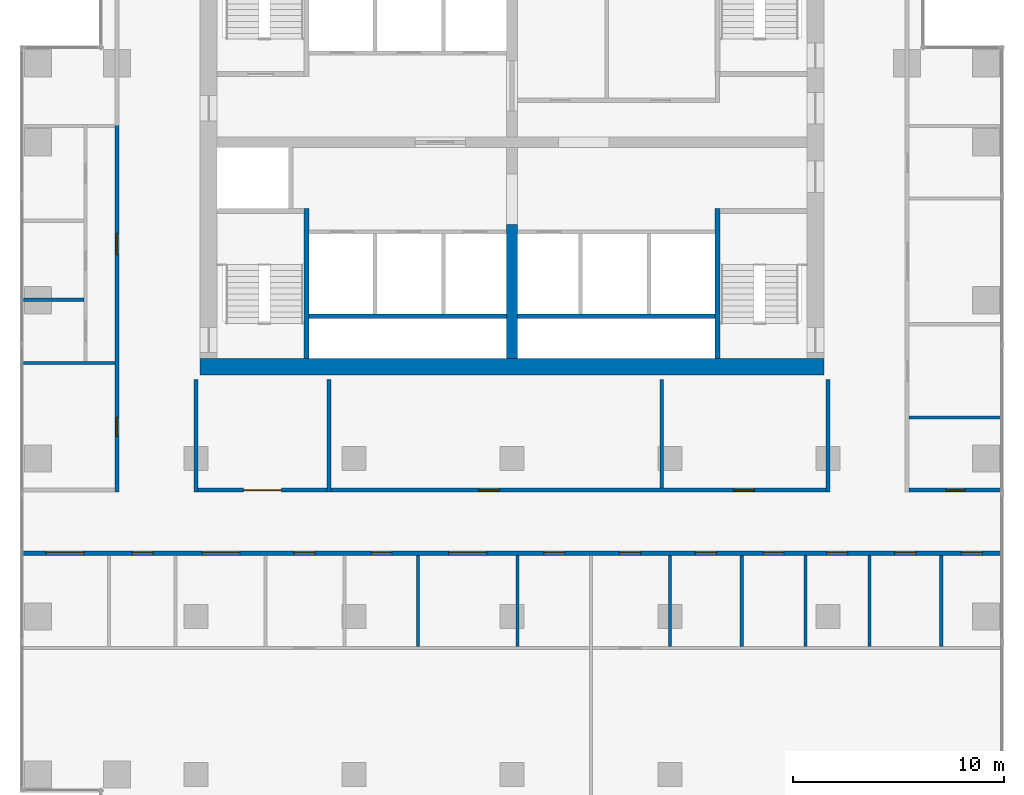
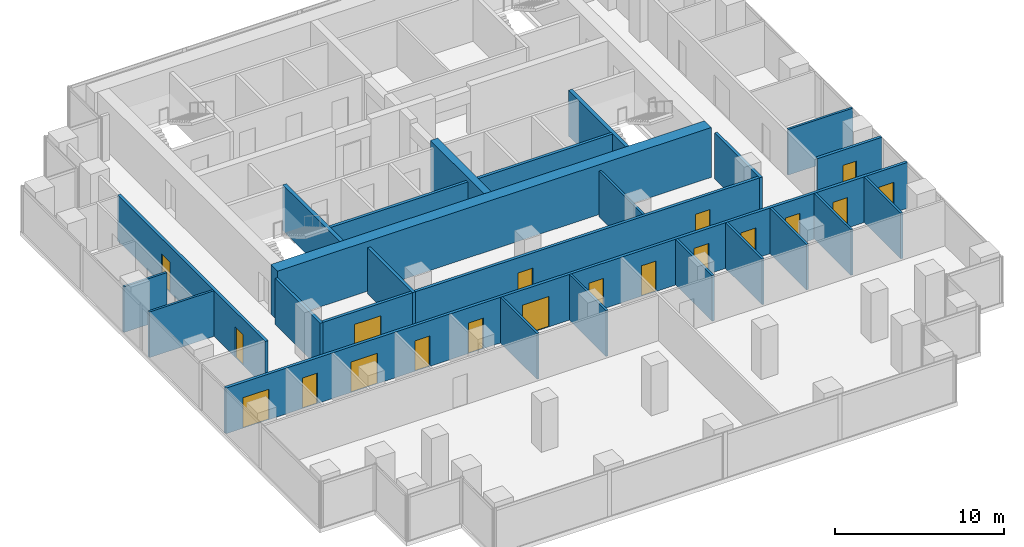
# One storey, part 7 of 10: 25 walls, 19 doors, 19 openings.
"""IFC4 building model written with IfcOpenShell, lengths in metres."""

from ifc_helpers import new_model, si_unit, direction, frame, frame_2d, origin, place, context, subcontext, project, spatial, rectangle, extrude, material, layer, layer_set, type_object, element, fill, save


model = new_model("IFC4")

# Units and contexts
model_context = context("Model", 3, precision=1e-05, world=origin(), true_north=direction((0.0, 1.0)))
body_context = subcontext(model_context, "Body", "Model", "MODEL_VIEW")
ifc_project = project(units=[si_unit("LENGTHUNIT", "METRE"), si_unit("AREAUNIT", "SQUARE_METRE"), si_unit("VOLUMEUNIT", "CUBIC_METRE"), si_unit("PLANEANGLEUNIT", "RADIAN"), si_unit("MASSUNIT", "GRAM", prefix="KILO")], contexts=[model_context])

# Site, building, storey
site_placement = place(None, origin())
site = spatial("IfcSite", under=ifc_project, at=site_placement, CompositionType="ELEMENT")
building_placement = place(site_placement, origin())
building = spatial("IfcBuilding", under=site, at=building_placement, Name="Pilkhan Gate Tower", CompositionType="ELEMENT")
storey_placement = place(building_placement, frame((0.0, 0.0, 107.199951171875)))
storey = spatial("IfcBuildingStorey", under=building, at=storey_placement, Name="L26", CompositionType="ELEMENT", Elevation=107.199951171875)

# Wall
ifc_material_1 = material(Name="Concrete C60/75", Category="concrete")
ifc_layer_1 = layer(ifc_material_1, 0.800048828125)
ifc_layer_set_1 = layer_set([ifc_layer_1], Name="Core wall CW800 C60/75")
wall_type_1 = type_object("IfcWallType", Name="Core wall CW800 C60/75", PredefinedType="SHEAR", material=ifc_layer_set_1)
wall_1_placement = place(storey_placement, frame((60.199951171875, 71.85009765625, 0.0), z_axis=(0.0, 0.0, 1.0), x_axis=(1.0, 0.0, 0.0)))
element("IfcWall", 1, at=wall_1_placement, inside=storey, type_object=wall_type_1, Name="Core wall S L26", PredefinedType="SHEAR", context=body_context, shape_type="SweptSolid", body=[
    extrude(rectangle(XDim=29.60009765625, YDim=0.800048828125, at=frame_2d((14.800048828125, 0.0))), origin(), (0.0, 0.0, 1.0), 3.60009765625),
])

# Wall, openings, doors
ifc_material_2 = material(Name="Dense blockwork", Category="masonry")
ifc_layer_2 = layer(ifc_material_2, 0.199951171875)
ifc_layer_set_2 = layer_set([ifc_layer_2], Name="Corridor wall FW200")
wall_type_2 = type_object("IfcWallType", Name="Corridor wall FW200", PredefinedType="PARTITIONING", material=ifc_layer_set_2)
wall_2_placement = place(storey_placement, frame((51.735107421875, 63.0, 0.0), z_axis=(0.0, 0.0, 1.0), x_axis=(1.0, 0.0, 0.0)))
wall_2 = element("IfcWall", 2, at=wall_2_placement, inside=storey, type_object=wall_type_2, Name="Partition L26", PredefinedType="PARTITIONING", context=body_context, shape_type="SweptSolid", body=[
    extrude(rectangle(XDim=46.52978515625, YDim=0.199951171875, at=frame_2d((23.264892578125, 0.0))), origin(), (0.0, 0.0, 1.0), 3.300048828125),
])
opening_1_placement = place(wall_2_placement, frame((12.9150390625, 0.0, 0.0)))
opening_1 = element("IfcOpeningElement", 3, at=opening_1_placement, cuts=wall_2, Name="Opening L26-06", PredefinedType="OPENING", context=body_context, shape_type="SweptSolid", body=[
    extrude(rectangle(XDim=1.0, YDim=2.199951171875, at=frame_2d((0.5, 1.10009765625))), frame((0.0, 0.10986328125, 0.0), z_axis=(0.0, -1.0, 0.0), x_axis=(1.0, 0.0, 0.0)), (0.0, 0.0, 1.0), 0.219970703125),
])
opening_2_placement = place(wall_2_placement, frame((28.364990234375, 0.0, 0.0)))
opening_2 = element("IfcOpeningElement", 4, at=opening_2_placement, cuts=wall_2, Name="Opening L26-07", PredefinedType="OPENING", context=body_context, shape_type="SweptSolid", body=[
    extrude(rectangle(XDim=1.0, YDim=2.199951171875, at=frame_2d((0.5, 1.10009765625))), frame((0.0, 0.10986328125, 0.0), z_axis=(0.0, -1.0, 0.0), x_axis=(1.0, 0.0, 0.0)), (0.0, 0.0, 1.0), 0.219970703125),
])
opening_3_placement = place(wall_2_placement, frame((31.965087890625, 0.0, 0.0)))
opening_3 = element("IfcOpeningElement", 5, at=opening_3_placement, cuts=wall_2, Name="Opening L26-08", PredefinedType="OPENING", context=body_context, shape_type="SweptSolid", body=[
    extrude(rectangle(XDim=1.0, YDim=2.199951171875, at=frame_2d((0.5, 1.10009765625))), frame((0.0, 0.10986328125, 0.0), z_axis=(0.0, -1.0, 0.0), x_axis=(1.0, 0.0, 0.0)), (0.0, 0.0, 1.0), 0.219970703125),
])
opening_4_placement = place(wall_2_placement, frame((41.428955078125, 0.0, 0.0)))
opening_4 = element("IfcOpeningElement", 6, at=opening_4_placement, cuts=wall_2, Name="Opening L26-09", PredefinedType="OPENING", context=body_context, shape_type="SweptSolid", body=[
    extrude(rectangle(XDim=1.0, YDim=2.199951171875, at=frame_2d((0.5, 1.10009765625))), frame((0.0, 0.10986328125, 0.0), z_axis=(0.0, -1.0, 0.0), x_axis=(1.0, 0.0, 0.0)), (0.0, 0.0, 1.0), 0.219970703125),
])
opening_5_placement = place(wall_2_placement, frame((1.14990234375, 0.0, 0.0)))
opening_5 = element("IfcOpeningElement", 7, at=opening_5_placement, cuts=wall_2, Name="Opening L26-16", PredefinedType="OPENING", context=body_context, shape_type="SweptSolid", body=[
    extrude(rectangle(XDim=1.800048828125, YDim=2.199951171875, at=frame_2d((0.89990234375, 1.10009765625))), frame((0.0, 0.10986328125, 0.0), z_axis=(0.0, -1.0, 0.0), x_axis=(1.0, 0.0, 0.0)), (0.0, 0.0, 1.0), 0.219970703125),
])
opening_6_placement = place(wall_2_placement, frame((5.23388671875, 0.0, 0.0)))
opening_6 = element("IfcOpeningElement", 8, at=opening_6_placement, cuts=wall_2, Name="Opening L26-17", PredefinedType="OPENING", context=body_context, shape_type="SweptSolid", body=[
    extrude(rectangle(XDim=1.0, YDim=2.199951171875, at=frame_2d((0.5, 1.10009765625))), frame((0.0, 0.10986328125, 0.0), z_axis=(0.0, -1.0, 0.0), x_axis=(1.0, 0.0, 0.0)), (0.0, 0.0, 1.0), 0.219970703125),
])
opening_7_placement = place(wall_2_placement, frame((8.5458984375, 0.0, 0.0)))
opening_7 = element("IfcOpeningElement", 9, at=opening_7_placement, cuts=wall_2, Name="Opening L26-18", PredefinedType="OPENING", context=body_context, shape_type="SweptSolid", body=[
    extrude(rectangle(XDim=1.800048828125, YDim=2.199951171875, at=frame_2d((0.89990234375, 1.10009765625))), frame((0.0, 0.10986328125, 0.0), z_axis=(0.0, -1.0, 0.0), x_axis=(1.0, 0.0, 0.0)), (0.0, 0.0, 1.0), 0.219970703125),
])
opening_8_placement = place(wall_2_placement, frame((16.56494140625, 0.0, 0.0)))
opening_8 = element("IfcOpeningElement", 10, at=opening_8_placement, cuts=wall_2, Name="Opening L26-19", PredefinedType="OPENING", context=body_context, shape_type="SweptSolid", body=[
    extrude(rectangle(XDim=1.0, YDim=2.199951171875, at=frame_2d((0.5, 1.10009765625))), frame((0.0, 0.10986328125, 0.0), z_axis=(0.0, -1.0, 0.0), x_axis=(1.0, 0.0, 0.0)), (0.0, 0.0, 1.0), 0.219970703125),
])
opening_9_placement = place(wall_2_placement, frame((20.258056640625, 0.0, 0.0)))
opening_9 = element("IfcOpeningElement", 11, at=opening_9_placement, cuts=wall_2, Name="Opening L26-20", PredefinedType="OPENING", context=body_context, shape_type="SweptSolid", body=[
    extrude(rectangle(XDim=1.800048828125, YDim=2.199951171875, at=frame_2d((0.89990234375, 1.10009765625))), frame((0.0, 0.10986328125, 0.0), z_axis=(0.0, -1.0, 0.0), x_axis=(1.0, 0.0, 0.0)), (0.0, 0.0, 1.0), 0.219970703125),
])
opening_10_placement = place(wall_2_placement, frame((24.77197265625, 0.0, 0.0)))
opening_10 = element("IfcOpeningElement", 12, at=opening_10_placement, cuts=wall_2, Name="Opening L26-21", PredefinedType="OPENING", context=body_context, shape_type="SweptSolid", body=[
    extrude(rectangle(XDim=1.0, YDim=2.199951171875, at=frame_2d((0.5, 1.10009765625))), frame((0.0, 0.10986328125, 0.0), z_axis=(0.0, -1.0, 0.0), x_axis=(1.0, 0.0, 0.0)), (0.0, 0.0, 1.0), 0.219970703125),
])
opening_11_placement = place(wall_2_placement, frame((35.172119140625, 0.0, 0.0)))
opening_11 = element("IfcOpeningElement", 13, at=opening_11_placement, cuts=wall_2, Name="Opening L26-23", PredefinedType="OPENING", context=body_context, shape_type="SweptSolid", body=[
    extrude(rectangle(XDim=1.0, YDim=2.199951171875, at=frame_2d((0.5, 1.10009765625))), frame((0.0, 0.10986328125, 0.0), z_axis=(0.0, -1.0, 0.0), x_axis=(1.0, 0.0, 0.0)), (0.0, 0.0, 1.0), 0.219970703125),
])
opening_12_placement = place(wall_2_placement, frame((38.200927734375, 0.0, 0.0)))
opening_12 = element("IfcOpeningElement", 14, at=opening_12_placement, cuts=wall_2, Name="Opening L26-24", PredefinedType="OPENING", context=body_context, shape_type="SweptSolid", body=[
    extrude(rectangle(XDim=1.0, YDim=2.199951171875, at=frame_2d((0.5, 1.10009765625))), frame((0.0, 0.10986328125, 0.0), z_axis=(0.0, -1.0, 0.0), x_axis=(1.0, 0.0, 0.0)), (0.0, 0.0, 1.0), 0.219970703125),
])
opening_13_placement = place(wall_2_placement, frame((44.5859375, 0.0, 0.0)))
opening_13 = element("IfcOpeningElement", 15, at=opening_13_placement, cuts=wall_2, Name="Opening L26-25", PredefinedType="OPENING", context=body_context, shape_type="SweptSolid", body=[
    extrude(rectangle(XDim=1.0, YDim=2.199951171875, at=frame_2d((0.5, 1.10009765625))), frame((0.0, 0.10986328125, 0.0), z_axis=(0.0, -1.0, 0.0), x_axis=(1.0, 0.0, 0.0)), (0.0, 0.0, 1.0), 0.219970703125),
])
ifc_material_3 = material(Name="Timber glazed double door, 30 minute fire resisting", Category="wood")
door_type_1 = type_object("IfcDoorType", Name="Double door D04 1800x2200", OperationType="DOUBLE_DOOR_SINGLE_SWING", PredefinedType="DOOR", material=ifc_material_3)
door_1_placement = place(opening_5_placement, origin())
door_1 = element("IfcDoor", 16, at=door_1_placement, inside=storey, type_object=door_type_1, Name="Double door", OperationType="DOUBLE_DOOR_SINGLE_SWING", OverallHeight=2.199951171875, OverallWidth=1.800048828125, PredefinedType="DOOR", context=body_context, shape_type="SweptSolid", body=[
    extrude(rectangle(XDim=1.800048828125, YDim=2.199951171875, at=frame_2d((0.89990234375, 1.10009765625))), frame((0.0, 0.02490234375, 0.0), z_axis=(0.0, -1.0, 0.0), x_axis=(1.0, 0.0, 0.0)), (0.0, 0.0, 1.0), 0.050048828125),
])
fill(opening_5, door_1)
door_2_placement = place(opening_7_placement, origin())
door_2 = element("IfcDoor", 17, at=door_2_placement, inside=storey, type_object=door_type_1, Name="Double door", OperationType="DOUBLE_DOOR_SINGLE_SWING", OverallHeight=2.199951171875, OverallWidth=1.800048828125, PredefinedType="DOOR", context=body_context, shape_type="SweptSolid", body=[
    extrude(rectangle(XDim=1.800048828125, YDim=2.199951171875, at=frame_2d((0.89990234375, 1.10009765625))), frame((0.0, 0.02490234375, 0.0), z_axis=(0.0, -1.0, 0.0), x_axis=(1.0, 0.0, 0.0)), (0.0, 0.0, 1.0), 0.050048828125),
])
fill(opening_7, door_2)
door_3_placement = place(opening_9_placement, origin())
door_3 = element("IfcDoor", 18, at=door_3_placement, inside=storey, type_object=door_type_1, Name="Double door", OperationType="DOUBLE_DOOR_SINGLE_SWING", OverallHeight=2.199951171875, OverallWidth=1.800048828125, PredefinedType="DOOR", context=body_context, shape_type="SweptSolid", body=[
    extrude(rectangle(XDim=1.800048828125, YDim=2.199951171875, at=frame_2d((0.89990234375, 1.10009765625))), frame((0.0, 0.02490234375, 0.0), z_axis=(0.0, -1.0, 0.0), x_axis=(1.0, 0.0, 0.0)), (0.0, 0.0, 1.0), 0.050048828125),
])
fill(opening_9, door_3)
ifc_material_4 = material(Name="Timber flush door, 30 minute fire resisting", Category="wood")
door_type_2 = type_object("IfcDoorType", Name="Room door D03 1000x2200", OperationType="SINGLE_SWING_LEFT", PredefinedType="DOOR", material=ifc_material_4)
door_4_placement = place(opening_1_placement, origin())
door_4 = element("IfcDoor", 19, at=door_4_placement, inside=storey, type_object=door_type_2, Name="Room door", OperationType="SINGLE_SWING_LEFT", OverallHeight=2.199951171875, OverallWidth=1.0, PredefinedType="DOOR", context=body_context, shape_type="SweptSolid", body=[
    extrude(rectangle(XDim=1.0, YDim=2.199951171875, at=frame_2d((0.5, 1.10009765625))), frame((0.0, 0.02490234375, 0.0), z_axis=(0.0, -1.0, 0.0), x_axis=(1.0, 0.0, 0.0)), (0.0, 0.0, 1.0), 0.050048828125),
])
fill(opening_1, door_4)
door_5_placement = place(opening_2_placement, origin())
door_5 = element("IfcDoor", 20, at=door_5_placement, inside=storey, type_object=door_type_2, Name="Room door", OperationType="SINGLE_SWING_LEFT", OverallHeight=2.199951171875, OverallWidth=1.0, PredefinedType="DOOR", context=body_context, shape_type="SweptSolid", body=[
    extrude(rectangle(XDim=1.0, YDim=2.199951171875, at=frame_2d((0.5, 1.10009765625))), frame((0.0, 0.02490234375, 0.0), z_axis=(0.0, -1.0, 0.0), x_axis=(1.0, 0.0, 0.0)), (0.0, 0.0, 1.0), 0.050048828125),
])
fill(opening_2, door_5)
door_6_placement = place(opening_3_placement, origin())
door_6 = element("IfcDoor", 21, at=door_6_placement, inside=storey, type_object=door_type_2, Name="Room door", OperationType="SINGLE_SWING_RIGHT", OverallHeight=2.199951171875, OverallWidth=1.0, PredefinedType="DOOR", context=body_context, shape_type="SweptSolid", body=[
    extrude(rectangle(XDim=1.0, YDim=2.199951171875, at=frame_2d((0.5, 1.10009765625))), frame((0.0, 0.02490234375, 0.0), z_axis=(0.0, -1.0, 0.0), x_axis=(1.0, 0.0, 0.0)), (0.0, 0.0, 1.0), 0.050048828125),
])
fill(opening_3, door_6)
door_7_placement = place(opening_4_placement, origin())
door_7 = element("IfcDoor", 22, at=door_7_placement, inside=storey, type_object=door_type_2, Name="Room door", OperationType="SINGLE_SWING_LEFT", OverallHeight=2.199951171875, OverallWidth=1.0, PredefinedType="DOOR", context=body_context, shape_type="SweptSolid", body=[
    extrude(rectangle(XDim=1.0, YDim=2.199951171875, at=frame_2d((0.5, 1.10009765625))), frame((0.0, 0.02490234375, 0.0), z_axis=(0.0, -1.0, 0.0), x_axis=(1.0, 0.0, 0.0)), (0.0, 0.0, 1.0), 0.050048828125),
])
fill(opening_4, door_7)
door_8_placement = place(opening_6_placement, origin())
door_8 = element("IfcDoor", 23, at=door_8_placement, inside=storey, type_object=door_type_2, Name="Room door", OperationType="SINGLE_SWING_LEFT", OverallHeight=2.199951171875, OverallWidth=1.0, PredefinedType="DOOR", context=body_context, shape_type="SweptSolid", body=[
    extrude(rectangle(XDim=1.0, YDim=2.199951171875, at=frame_2d((0.5, 1.10009765625))), frame((0.0, 0.02490234375, 0.0), z_axis=(0.0, -1.0, 0.0), x_axis=(1.0, 0.0, 0.0)), (0.0, 0.0, 1.0), 0.050048828125),
])
fill(opening_6, door_8)
door_9_placement = place(opening_8_placement, origin())
door_9 = element("IfcDoor", 24, at=door_9_placement, inside=storey, type_object=door_type_2, Name="Room door", OperationType="SINGLE_SWING_LEFT", OverallHeight=2.199951171875, OverallWidth=1.0, PredefinedType="DOOR", context=body_context, shape_type="SweptSolid", body=[
    extrude(rectangle(XDim=1.0, YDim=2.199951171875, at=frame_2d((0.5, 1.10009765625))), frame((0.0, 0.02490234375, 0.0), z_axis=(0.0, -1.0, 0.0), x_axis=(1.0, 0.0, 0.0)), (0.0, 0.0, 1.0), 0.050048828125),
])
fill(opening_8, door_9)
door_10_placement = place(opening_10_placement, origin())
door_10 = element("IfcDoor", 25, at=door_10_placement, inside=storey, type_object=door_type_2, Name="Room door", OperationType="SINGLE_SWING_LEFT", OverallHeight=2.199951171875, OverallWidth=1.0, PredefinedType="DOOR", context=body_context, shape_type="SweptSolid", body=[
    extrude(rectangle(XDim=1.0, YDim=2.199951171875, at=frame_2d((0.5, 1.10009765625))), frame((0.0, 0.02490234375, 0.0), z_axis=(0.0, -1.0, 0.0), x_axis=(1.0, 0.0, 0.0)), (0.0, 0.0, 1.0), 0.050048828125),
])
fill(opening_10, door_10)
door_11_placement = place(opening_11_placement, origin())
door_11 = element("IfcDoor", 26, at=door_11_placement, inside=storey, type_object=door_type_2, Name="Room door", OperationType="SINGLE_SWING_RIGHT", OverallHeight=2.199951171875, OverallWidth=1.0, PredefinedType="DOOR", context=body_context, shape_type="SweptSolid", body=[
    extrude(rectangle(XDim=1.0, YDim=2.199951171875, at=frame_2d((0.5, 1.10009765625))), frame((0.0, 0.02490234375, 0.0), z_axis=(0.0, -1.0, 0.0), x_axis=(1.0, 0.0, 0.0)), (0.0, 0.0, 1.0), 0.050048828125),
])
fill(opening_11, door_11)
door_12_placement = place(opening_12_placement, origin())
door_12 = element("IfcDoor", 27, at=door_12_placement, inside=storey, type_object=door_type_2, Name="Room door", OperationType="SINGLE_SWING_LEFT", OverallHeight=2.199951171875, OverallWidth=1.0, PredefinedType="DOOR", context=body_context, shape_type="SweptSolid", body=[
    extrude(rectangle(XDim=1.0, YDim=2.199951171875, at=frame_2d((0.5, 1.10009765625))), frame((0.0, 0.02490234375, 0.0), z_axis=(0.0, -1.0, 0.0), x_axis=(1.0, 0.0, 0.0)), (0.0, 0.0, 1.0), 0.050048828125),
])
fill(opening_12, door_12)
door_13_placement = place(opening_13_placement, origin())
door_13 = element("IfcDoor", 28, at=door_13_placement, inside=storey, type_object=door_type_2, Name="Room door", OperationType="SINGLE_SWING_RIGHT", OverallHeight=2.199951171875, OverallWidth=1.0, PredefinedType="DOOR", context=body_context, shape_type="SweptSolid", body=[
    extrude(rectangle(XDim=1.0, YDim=2.199951171875, at=frame_2d((0.5, 1.10009765625))), frame((0.0, 0.02490234375, 0.0), z_axis=(0.0, -1.0, 0.0), x_axis=(1.0, 0.0, 0.0)), (0.0, 0.0, 1.0), 0.050048828125),
])
fill(opening_13, door_13)

wall_3_placement = place(storey_placement, frame((66.416015625, 66.0, 0.0), z_axis=(0.0, 0.0, 1.0), x_axis=(1.0, 0.0, 0.0)))
wall_3 = element("IfcWall", 29, at=wall_3_placement, inside=storey, type_object=wall_type_2, Name="Partition L26", PredefinedType="PARTITIONING", context=body_context, shape_type="SweptSolid", body=[
    extrude(rectangle(XDim=23.48388671875, YDim=0.199951171875, at=frame_2d((11.741943359375, 0.0))), origin(), (0.0, 0.0, 1.0), 3.300048828125),
])
opening_14_placement = place(wall_3_placement, frame((7.0, 0.0, 0.0)))
opening_14 = element("IfcOpeningElement", 30, at=opening_14_placement, cuts=wall_3, Name="Opening L26-36", PredefinedType="OPENING", context=body_context, shape_type="SweptSolid", body=[
    extrude(rectangle(XDim=1.0, YDim=2.199951171875, at=frame_2d((0.5, 1.10009765625))), frame((0.0, 0.10986328125, 0.0), z_axis=(0.0, -1.0, 0.0), x_axis=(1.0, 0.0, 0.0)), (0.0, 0.0, 1.0), 0.219970703125),
])
opening_15_placement = place(wall_3_placement, frame((19.089111328125, 0.0, 0.0)))
opening_15 = element("IfcOpeningElement", 31, at=opening_15_placement, cuts=wall_3, Name="Opening L26-37", PredefinedType="OPENING", context=body_context, shape_type="SweptSolid", body=[
    extrude(rectangle(XDim=1.0, YDim=2.199951171875, at=frame_2d((0.5, 1.10009765625))), frame((0.0, 0.10986328125, 0.0), z_axis=(0.0, -1.0, 0.0), x_axis=(1.0, 0.0, 0.0)), (0.0, 0.0, 1.0), 0.219970703125),
])
door_14_placement = place(opening_14_placement, origin())
door_14 = element("IfcDoor", 32, at=door_14_placement, inside=storey, type_object=door_type_2, Name="Room door", OperationType="SINGLE_SWING_LEFT", OverallHeight=2.199951171875, OverallWidth=1.0, PredefinedType="DOOR", context=body_context, shape_type="SweptSolid", body=[
    extrude(rectangle(XDim=1.0, YDim=2.199951171875, at=frame_2d((0.5, 1.10009765625))), frame((0.0, 0.02490234375, 0.0), z_axis=(0.0, -1.0, 0.0), x_axis=(1.0, 0.0, 0.0)), (0.0, 0.0, 1.0), 0.050048828125),
])
fill(opening_14, door_14)
door_15_placement = place(opening_15_placement, origin())
door_15 = element("IfcDoor", 33, at=door_15_placement, inside=storey, type_object=door_type_2, Name="Room door", OperationType="SINGLE_SWING_LEFT", OverallHeight=2.199951171875, OverallWidth=1.0, PredefinedType="DOOR", context=body_context, shape_type="SweptSolid", body=[
    extrude(rectangle(XDim=1.0, YDim=2.199951171875, at=frame_2d((0.5, 1.10009765625))), frame((0.0, 0.02490234375, 0.0), z_axis=(0.0, -1.0, 0.0), x_axis=(1.0, 0.0, 0.0)), (0.0, 0.0, 1.0), 0.050048828125),
])
fill(opening_15, door_15)

# Wall, opening, door
wall_4_placement = place(storey_placement, frame((93.85009765625, 66.0, 0.0), z_axis=(0.0, 0.0, 1.0), x_axis=(1.0, 0.0, 0.0)))
wall_4 = element("IfcWall", 34, at=wall_4_placement, inside=storey, type_object=wall_type_2, Name="Partition L26", PredefinedType="PARTITIONING", context=body_context, shape_type="SweptSolid", body=[
    extrude(rectangle(XDim=4.414794921875, YDim=0.199951171875, at=frame_2d((2.20751953125, 0.0))), origin(), (0.0, 0.0, 1.0), 3.300048828125),
])
opening_16_placement = place(wall_4_placement, frame((1.75, 0.0, 0.0)))
opening_16 = element("IfcOpeningElement", 35, at=opening_16_placement, cuts=wall_4, Name="Opening L26-31", PredefinedType="OPENING", context=body_context, shape_type="SweptSolid", body=[
    extrude(rectangle(XDim=0.89990234375, YDim=2.199951171875, at=frame_2d((0.449951171875, 1.10009765625))), frame((0.0, 0.10986328125, 0.0), z_axis=(0.0, -1.0, 0.0), x_axis=(1.0, 0.0, 0.0)), (0.0, 0.0, 1.0), 0.219970703125),
])
ifc_material_5 = material(Name="Timber flush door, 60 minute fire resisting, self-closing", Category="wood")
door_type_3 = type_object("IfcDoorType", Name="Store door D05 900x2200", OperationType="SINGLE_SWING_LEFT", PredefinedType="DOOR", material=ifc_material_5)
door_16_placement = place(opening_16_placement, origin())
door_16 = element("IfcDoor", 36, at=door_16_placement, inside=storey, type_object=door_type_3, Name="Store door", OperationType="SINGLE_SWING_RIGHT", OverallHeight=2.199951171875, OverallWidth=0.89990234375, PredefinedType="DOOR", context=body_context, shape_type="SweptSolid", body=[
    extrude(rectangle(XDim=0.89990234375, YDim=2.199951171875, at=frame_2d((0.449951171875, 1.10009765625))), frame((0.0, 0.02490234375, 0.0), z_axis=(0.0, -1.0, 0.0), x_axis=(1.0, 0.0, 0.0)), (0.0, 0.0, 1.0), 0.050048828125),
])
fill(opening_16, door_16)

# Wall, openings, doors
wall_5_placement = place(storey_placement, frame((56.25, 65.89990234375, 0.0), z_axis=(0.0, 0.0, 1.0), x_axis=(0.0, 1.0, 0.0)))
wall_5 = element("IfcWall", 37, at=wall_5_placement, inside=storey, type_object=wall_type_2, Name="Partition L26", PredefinedType="PARTITIONING", context=body_context, shape_type="SweptSolid", body=[
    extrude(rectangle(XDim=17.455078125, YDim=0.199951171875, at=frame_2d((8.7275390625, 0.0))), origin(), (0.0, 0.0, 1.0), 3.300048828125),
])
opening_17_placement = place(wall_5_placement, frame((11.280029296875, 0.0, 0.0)))
opening_17 = element("IfcOpeningElement", 38, at=opening_17_placement, cuts=wall_5, Name="Opening L26-10", PredefinedType="OPENING", context=body_context, shape_type="SweptSolid", body=[
    extrude(rectangle(XDim=1.0, YDim=2.199951171875, at=frame_2d((0.5, 1.10009765625))), frame((0.0, 0.10986328125, 0.0), z_axis=(0.0, -1.0, 0.0), x_axis=(1.0, 0.0, 0.0)), (0.0, 0.0, 1.0), 0.219970703125),
])
opening_18_placement = place(wall_5_placement, frame((2.64990234375, 0.0, 0.0)))
opening_18 = element("IfcOpeningElement", 39, at=opening_18_placement, cuts=wall_5, Name="Opening L26-30", PredefinedType="OPENING", context=body_context, shape_type="SweptSolid", body=[
    extrude(rectangle(XDim=0.89990234375, YDim=2.199951171875, at=frame_2d((0.449951171875, 1.10009765625))), frame((0.0, 0.10986328125, 0.0), z_axis=(0.0, -1.0, 0.0), x_axis=(1.0, 0.0, 0.0)), (0.0, 0.0, 1.0), 0.219970703125),
])
door_17_placement = place(opening_17_placement, origin())
door_17 = element("IfcDoor", 40, at=door_17_placement, inside=storey, type_object=door_type_2, Name="Toilet lobby door", OperationType="SINGLE_SWING_RIGHT", OverallHeight=2.199951171875, OverallWidth=1.0, PredefinedType="DOOR", context=body_context, shape_type="SweptSolid", body=[
    extrude(rectangle(XDim=1.0, YDim=2.199951171875, at=frame_2d((0.5, 1.10009765625))), frame((0.0, 0.02490234375, 0.0), z_axis=(0.0, -1.0, 0.0), x_axis=(1.0, 0.0, 0.0)), (0.0, 0.0, 1.0), 0.050048828125),
])
fill(opening_17, door_17)
door_18_placement = place(opening_18_placement, origin())
door_18 = element("IfcDoor", 41, at=door_18_placement, inside=storey, type_object=door_type_3, Name="Store door", OperationType="SINGLE_SWING_LEFT", OverallHeight=2.199951171875, OverallWidth=0.89990234375, PredefinedType="DOOR", context=body_context, shape_type="SweptSolid", body=[
    extrude(rectangle(XDim=0.89990234375, YDim=2.199951171875, at=frame_2d((0.449951171875, 1.10009765625))), frame((0.0, 0.02490234375, 0.0), z_axis=(0.0, -1.0, 0.0), x_axis=(1.0, 0.0, 0.0)), (0.0, 0.0, 1.0), 0.050048828125),
])
fill(opening_18, door_18)

# Wall
wall_6_placement = place(storey_placement, frame((90.0, 65.89990234375, 0.0), z_axis=(0.0, 0.0, 1.0), x_axis=(0.0, 1.0, 0.0)))
element("IfcWall", 42, at=wall_6_placement, inside=storey, type_object=wall_type_2, Name="Partition L26", PredefinedType="PARTITIONING", context=body_context, shape_type="SweptSolid", body=[
    extrude(rectangle(XDim=5.35009765625, YDim=0.199951171875, at=frame_2d((2.675048828125, 0.0))), origin(), (0.0, 0.0, 1.0), 3.300048828125),
])

# Wall, opening, door
ifc_layer_3 = layer(ifc_material_2, 0.199951171875)
ifc_layer_set_3 = layer_set([ifc_layer_3], Name="Lobby wall LW200")
wall_type_3 = type_object("IfcWallType", Name="Lobby wall LW200", PredefinedType="PARTITIONING", material=ifc_layer_set_3)
wall_7_placement = place(storey_placement, frame((60.10009765625, 66.0, 0.0), z_axis=(0.0, 0.0, 1.0), x_axis=(1.0, 0.0, 0.0)))
wall_7 = element("IfcWall", 43, at=wall_7_placement, inside=storey, type_object=wall_type_3, Name="Partition L26", PredefinedType="PARTITIONING", context=body_context, shape_type="SweptSolid", body=[
    extrude(rectangle(XDim=6.115966796875, YDim=0.199951171875, at=frame_2d((3.05810546875, 0.0))), origin(), (0.0, 0.0, 1.0), 3.300048828125),
])
opening_19_placement = place(wall_7_placement, frame((2.14990234375, 0.0, 0.0)))
opening_19 = element("IfcOpeningElement", 44, at=opening_19_placement, cuts=wall_7, Name="Opening L26-35", PredefinedType="OPENING", context=body_context, shape_type="SweptSolid", body=[
    extrude(rectangle(XDim=1.800048828125, YDim=2.39990234375, at=frame_2d((0.89990234375, 1.199951171875))), frame((0.0, 0.10986328125, 0.0), z_axis=(0.0, -1.0, 0.0), x_axis=(1.0, 0.0, 0.0)), (0.0, 0.0, 1.0), 0.219970703125),
])
ifc_material_6 = material(Name="Steel door, 120 minute fire resisting", Category="steel")
door_type_4 = type_object("IfcDoorType", Name="Plant room door D08 1800x2400", OperationType="DOUBLE_DOOR_SINGLE_SWING", PredefinedType="DOOR", material=ifc_material_6)
door_19_placement = place(opening_19_placement, origin())
door_19 = element("IfcDoor", 45, at=door_19_placement, inside=storey, type_object=door_type_4, Name="Plant room door", OperationType="DOUBLE_DOOR_SINGLE_SWING", OverallHeight=2.39990234375, OverallWidth=1.800048828125, PredefinedType="DOOR", context=body_context, shape_type="SweptSolid", body=[
    extrude(rectangle(XDim=1.800048828125, YDim=2.39990234375, at=frame_2d((0.89990234375, 1.199951171875))), frame((0.0, 0.02490234375, 0.0), z_axis=(0.0, -1.0, 0.0), x_axis=(1.0, 0.0, 0.0)), (0.0, 0.0, 1.0), 0.050048828125),
])
fill(opening_19, door_19)

# Walls
for number, where, z_axis, x_axis, name in (
    (46, (60.0, 65.89990234375, 0.0), (0.0, 0.0, 1.0), (0.0, 1.0, 0.0), "Partition L26"),
    (47, (66.31591796875, 65.89990234375, 0.0), (0.0, 0.0, 1.0), (0.0, 1.0, 0.0), "Partition L26"),
):
    element("IfcWall", number, at=place(storey_placement, frame(where, z_axis=z_axis, x_axis=x_axis)), inside=storey, type_object=wall_type_3, Name=name, PredefinedType="PARTITIONING", context=body_context, shape_type="SweptSolid", body=[
        extrude(rectangle(XDim=5.35009765625, YDim=0.199951171875, at=frame_2d((2.675048828125, 0.0))), origin(), (0.0, 0.0, 1.0), 3.300048828125),
    ])
ifc_material_7 = material(Name="Blockwork partition, plastered both sides", Category="masonry")
ifc_layer_4 = layer(ifc_material_7, 0.14990234375)
ifc_layer_set_4 = layer_set([ifc_layer_4], Name="Partition PW150")
wall_type_4 = type_object("IfcWallType", Name="Partition PW150", PredefinedType="PARTITIONING", material=ifc_layer_set_4)
for number, where, z_axis, x_axis, name in (
    (48, (93.85009765625, 69.447021484375, 0.0), (0.0, 0.0, 1.0), (1.0, 0.0, 0.0), "Partition L26"),
    (49, (51.735107421875, 72.030029296875, 0.0), (0.0, 0.0, 1.0), (1.0, 0.0, 0.0), "Partition L26"),
):
    element("IfcWall", number, at=place(storey_placement, frame(where, z_axis=z_axis, x_axis=x_axis)), inside=storey, type_object=wall_type_4, Name=name, PredefinedType="PARTITIONING", context=body_context, shape_type="SweptSolid", body=[
        extrude(rectangle(XDim=4.414794921875, YDim=0.14990234375, at=frame_2d((2.20751953125, 0.0))), origin(), (0.0, 0.0, 1.0), 3.300048828125),
    ])
wall_8_placement = place(storey_placement, frame((51.735107421875, 75.030029296875, 0.0), z_axis=(0.0, 0.0, 1.0), x_axis=(1.0, 0.0, 0.0)))
element("IfcWall", 50, at=wall_8_placement, inside=storey, type_object=wall_type_4, Name="Partition L26", PredefinedType="PARTITIONING", context=body_context, shape_type="SweptSolid", body=[
    extrude(rectangle(XDim=2.93994140625, YDim=0.14990234375, at=frame_2d((1.469970703125, 0.0))), origin(), (0.0, 0.0, 1.0), 3.300048828125),
])
for number, where, z_axis, x_axis, name in (
    (51, (70.54296875, 58.574951171875, 0.0), (0.0, 0.0, 1.0), (0.0, 1.0, 0.0), "Partition L26"),
    (52, (75.257080078125, 58.574951171875, 0.0), (0.0, 0.0, 1.0), (0.0, 1.0, 0.0), "Partition L26"),
):
    element("IfcWall", number, at=place(storey_placement, frame(where, z_axis=z_axis, x_axis=x_axis)), inside=storey, type_object=wall_type_4, Name=name, PredefinedType="PARTITIONING", context=body_context, shape_type="SweptSolid", body=[
        extrude(rectangle(XDim=4.324951171875, YDim=0.14990234375, at=frame_2d((2.16259765625, 0.0))), origin(), (0.0, 0.0, 1.0), 3.300048828125),
    ])
wall_9_placement = place(storey_placement, frame((82.10498046875, 66.10009765625, 0.0), z_axis=(0.0, 0.0, 1.0), x_axis=(0.0, 1.0, 0.0)))
element("IfcWall", 53, at=wall_9_placement, inside=storey, type_object=wall_type_4, Name="Partition L26", PredefinedType="PARTITIONING", context=body_context, shape_type="SweptSolid", body=[
    extrude(rectangle(XDim=5.14990234375, YDim=0.14990234375, at=frame_2d((2.574951171875, 0.0))), origin(), (0.0, 0.0, 1.0), 3.300048828125),
])
for number, where, z_axis, x_axis, name in (
    (54, (82.5, 58.574951171875, 0.0), (0.0, 0.0, 1.0), (0.0, 1.0, 0.0), "Partition L26"),
    (55, (85.906982421875, 58.574951171875, 0.0), (0.0, 0.0, 1.0), (0.0, 1.0, 0.0), "Partition L26"),
    (56, (88.93603515625, 58.574951171875, 0.0), (0.0, 0.0, 1.0), (0.0, 1.0, 0.0), "Partition L26"),
    (57, (91.964111328125, 58.574951171875, 0.0), (0.0, 0.0, 1.0), (0.0, 1.0, 0.0), "Partition L26"),
    (58, (95.37109375, 58.574951171875, 0.0), (0.0, 0.0, 1.0), (0.0, 1.0, 0.0), "Partition L26"),
):
    element("IfcWall", number, at=place(storey_placement, frame(where, z_axis=z_axis, x_axis=x_axis)), inside=storey, type_object=wall_type_4, Name=name, PredefinedType="PARTITIONING", context=body_context, shape_type="SweptSolid", body=[
        extrude(rectangle(XDim=4.324951171875, YDim=0.14990234375, at=frame_2d((2.16259765625, 0.0))), origin(), (0.0, 0.0, 1.0), 3.300048828125),
    ])
ifc_material_8 = material(Name="Reinforced blockwork shaft wall, 120 minute fire resisting", Category="masonry")
ifc_layer_5 = layer(ifc_material_8, 0.199951171875)
ifc_layer_set_5 = layer_set([ifc_layer_5], Name="Shaft wall SW200")
wall_type_5 = type_object("IfcWallType", Name="Shaft wall SW200", PredefinedType="PARTITIONING", material=ifc_layer_set_5)
for number, where, z_axis, x_axis, name in (
    (59, (65.375, 74.25, 0.0), (0.0, 0.0, 1.0), (1.0, 0.0, 0.0), "Partition L26"),
    (60, (75.260009765625, 74.25, 0.0), (0.0, 0.0, 1.0), (1.0, 0.0, 0.0), "Partition L26"),
):
    element("IfcWall", number, at=place(storey_placement, frame(where, z_axis=z_axis, x_axis=x_axis)), inside=storey, type_object=wall_type_5, Name=name, PredefinedType="PARTITIONING", context=body_context, shape_type="SweptSolid", body=[
        extrude(rectangle(XDim=9.364990234375, YDim=0.199951171875, at=frame_2d((4.6826171875, 0.0))), origin(), (0.0, 0.0, 1.0), 3.300048828125),
    ])
ifc_layer_6 = layer(ifc_material_1, 0.5)
ifc_layer_set_6 = layer_set([ifc_layer_6], Name="Spine wall SW500 C60/75")
wall_type_6 = type_object("IfcWallType", Name="Spine wall SW500 C60/75", PredefinedType="SHEAR", material=ifc_layer_set_6)
wall_10_placement = place(storey_placement, frame((75.0, 72.25, 0.0), z_axis=(0.0, 0.0, 1.0), x_axis=(0.0, 1.0, 0.0)))
element("IfcWall", 61, at=wall_10_placement, inside=storey, type_object=wall_type_6, Name="Spine wall SP-NS-S1 L26", PredefinedType="SHEAR", context=body_context, shape_type="SweptSolid", body=[
    extrude(rectangle(XDim=6.35009765625, YDim=0.5, at=frame_2d((3.175048828125, 0.0))), origin(), (0.0, 0.0, 1.0), 3.60009765625),
])
ifc_material_9 = material(Name="Reinforced blockwork, 120 minute fire resisting", Category="masonry")
ifc_layer_7 = layer(ifc_material_9, 0.25)
ifc_layer_set_7 = layer_set([ifc_layer_7], Name="Stair enclosure wall SE250")
wall_type_7 = type_object("IfcWallType", Name="Stair enclosure wall SE250", PredefinedType="PARTITIONING", material=ifc_layer_set_7)
for number, where, z_axis, x_axis, name in (
    (62, (65.25, 72.25, 0.0), (0.0, 0.0, 1.0), (0.0, 1.0, 0.0), "Partition L26"),
    (63, (84.75, 72.25, 0.0), (0.0, 0.0, 1.0), (0.0, 1.0, 0.0), "Partition L26"),
):
    element("IfcWall", number, at=place(storey_placement, frame(where, z_axis=z_axis, x_axis=x_axis)), inside=storey, type_object=wall_type_7, Name=name, PredefinedType="PARTITIONING", context=body_context, shape_type="SweptSolid", body=[
        extrude(rectangle(XDim=7.125, YDim=0.25, at=frame_2d((3.5625, 0.0))), origin(), (0.0, 0.0, 1.0), 3.300048828125),
    ])

save(model, "model.ifc")
